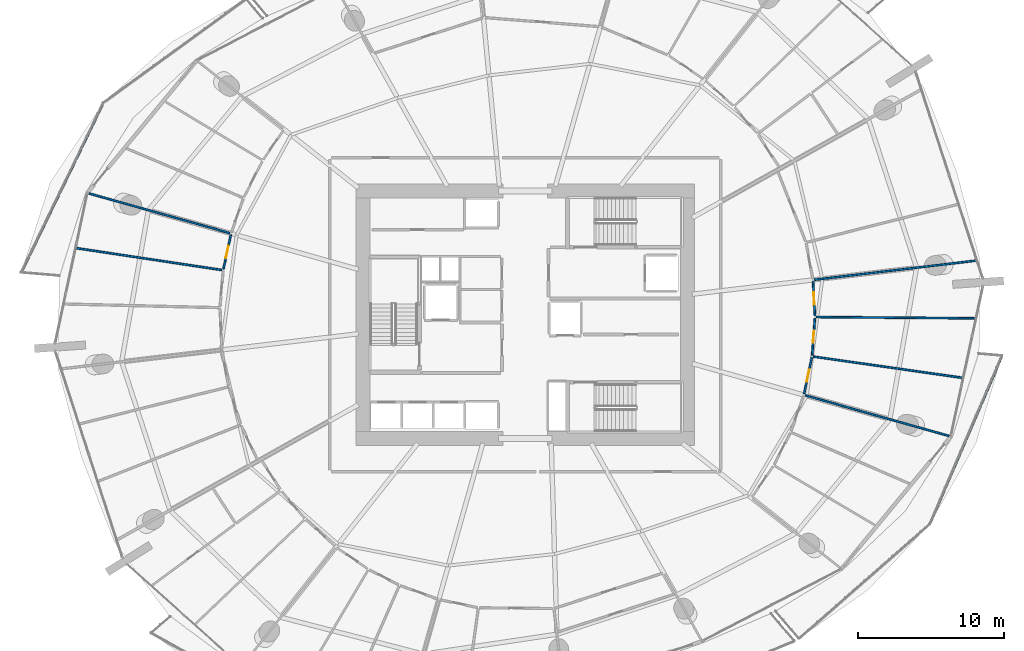
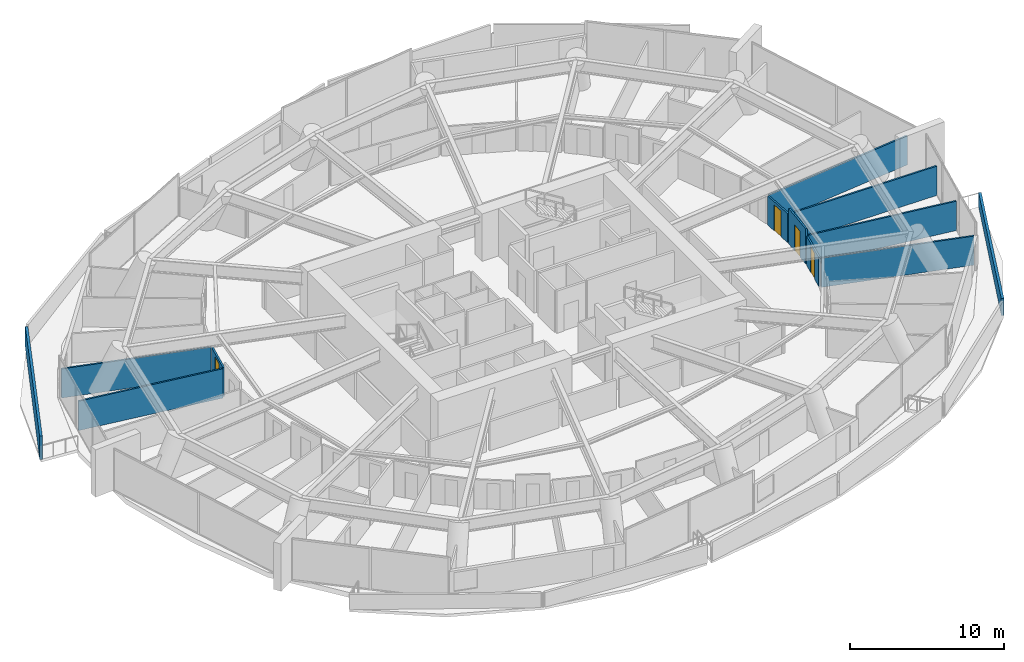
# One storey, part 21 of 31: 12 walls, 4 doors, 4 openings.
"""IFC4 building model written with IfcOpenShell, lengths in metres."""

from ifc_helpers import new_model, si_unit, direction, frame, frame_2d, origin, place, context, subcontext, project, spatial, polyline, rectangle, outline, extrude, material, layer, layer_set, type_object, element, fill, save


model = new_model("IFC4")

# Units and contexts
model_context = context("Model", 3, precision=1e-05, world=origin(), true_north=direction((0.0, 1.0)))
body_context = subcontext(model_context, "Body", "Model", "MODEL_VIEW")
ifc_project = project(units=[si_unit("LENGTHUNIT", "METRE"), si_unit("AREAUNIT", "SQUARE_METRE"), si_unit("VOLUMEUNIT", "CUBIC_METRE"), si_unit("PLANEANGLEUNIT", "RADIAN"), si_unit("MASSUNIT", "GRAM", prefix="KILO")], contexts=[model_context])

# Site, building, storey
site_placement = place(None, origin())
site = spatial("IfcSite", under=ifc_project, at=site_placement, CompositionType="ELEMENT")
building_placement = place(site_placement, origin())
building = spatial("IfcBuilding", under=site, at=building_placement, Name="Kazma Halo Residences", CompositionType="ELEMENT")
storey_placement = place(building_placement, frame((0.0, 0.0, 71.39990234375)))
storey = spatial("IfcBuildingStorey", under=building, at=storey_placement, Name="L17", CompositionType="ELEMENT", Elevation=71.39990234375)

# Walls
ifc_material_1 = material(Name="White Concrete C50/60 Balustrade", Category="concrete")
ifc_layer_1 = layer(ifc_material_1, 0.179931640625)
ifc_layer_set_1 = layer_set([ifc_layer_1], Name="White Concrete C50/60 Balustrade")
wall_type_1 = type_object("IfcWallType", Name="WL-BAL-WAVE-180", PredefinedType="PARAPET", material=ifc_layer_set_1)
wall_1_placement = place(storey_placement, frame((19.48095703125, 56.396484375, 0.0), z_axis=(0.0, 0.0, 1.0), x_axis=(-0.435391138538, -0.900241387897, 0.0)))
element("IfcWall", 1, at=wall_1_placement, inside=storey, type_object=wall_type_1, Name="L17 white wave balustrade wall NW.2", PredefinedType="PARAPET", context=body_context, shape_type="SweptSolid", body=[
    extrude(outline(polyline([(0.0, 0.0), (12.779296875, 0.0), (12.779296875, 1.860107421875), (6.3896484375, 1.798095703125), (0.0, 1.632080078125), (0.0, 0.0)])), frame((0.0, 0.08984375, 0.0), z_axis=(0.0, -1.0, 0.0), x_axis=(1.0, 0.0, 0.0)), (0.0, 0.0, 1.0), 0.179931640625),
])
wall_2_placement = place(storey_placement, frame((76.159423828125, 27.786376953125, 0.0), z_axis=(0.0, 0.0, 1.0), x_axis=(0.393762615554, 0.919212164079, 0.0)))
element("IfcWall", 2, at=wall_2_placement, inside=storey, type_object=wall_type_1, Name="L17 white wave balustrade wall SE.2", PredefinedType="PARAPET", context=body_context, shape_type="SweptSolid", body=[
    extrude(outline(polyline([(0.0, 0.0), (12.412109375, 0.0), (12.412109375, 1.1201171875), (6.2060546875, 1.18212890625), (0.0, 1.34814453125), (0.0, 0.0)])), frame((0.0, 0.08984375, 0.0), z_axis=(0.0, -1.0, 0.0), x_axis=(1.0, 0.0, 0.0)), (0.0, 0.0, 1.0), 0.179931640625),
])
ifc_material_2 = material(Name="Gypsum Plasterboard Partition")
ifc_layer_2 = layer(ifc_material_2, 0.125)
ifc_layer_set_2 = layer_set([ifc_layer_2], Name="Gypsum Plasterboard Partition")
wall_type_2 = type_object("IfcWallType", Name="WL-PART-125", PredefinedType="PARTITIONING", material=ifc_layer_set_2)
wall_3_placement = place(storey_placement, frame((28.189697265625, 47.5869140625, 0.0), z_axis=(0.0, 0.0, 1.0), x_axis=(-0.962452458747, 0.271450298675, 0.0)))
element("IfcWall", 3, at=wall_3_placement, inside=storey, type_object=wall_type_2, Name="L17 Apartment 1 radial partition 6", PredefinedType="PARTITIONING", context=body_context, shape_type="SweptSolid", body=[
    extrude(rectangle(XDim=9.991455078125, YDim=0.125, at=frame_2d((4.99560546875, 0.0))), origin(), (0.0, 0.0, 1.0), 2.30712890625),
])
wall_4_placement = place(storey_placement, frame((27.655517578125, 45.05859375, 0.0), z_axis=(0.0, 0.0, 1.0), x_axis=(-0.988887175004, 0.148667935725, 0.0)))
element("IfcWall", 4, at=wall_4_placement, inside=storey, type_object=wall_type_2, Name="L17 Apartment 1 bay wall 1 6", PredefinedType="PARTITIONING", context=body_context, shape_type="SweptSolid", body=[
    extrude(rectangle(XDim=10.097900390625, YDim=0.125, at=frame_2d((5.048828125, 0.0))), origin(), (0.0, 0.0, 1.0), 2.3251953125),
])

# Wall, opening, door
wall_5_placement = place(storey_placement, frame((28.269287109375, 47.481689453125, 0.0), z_axis=(0.0, 0.0, 1.0), x_axis=(-0.210517386484, -0.977590113487, 0.0)))
wall_5 = element("IfcWall", 5, at=wall_5_placement, inside=storey, type_object=wall_type_2, Name="L17 Apartment 1 North Bedroom hall wall", PredefinedType="PARTITIONING", context=body_context, shape_type="SweptSolid", body=[
    extrude(rectangle(XDim=2.412109375, YDim=0.125, at=frame_2d((1.2060546875, 0.0))), origin(), (0.0, 0.0, 1.0), 2.30712890625),
])
opening_1_placement = place(wall_5_placement, frame((0.781005859375, 0.0, 0.0)))
opening_1 = element("IfcOpeningElement", 6, at=opening_1_placement, cuts=wall_5, Name="Opening DB-900", PredefinedType="OPENING", context=body_context, shape_type="SweptSolid", body=[
    extrude(rectangle(XDim=0.85009765625, YDim=2.06005859375, at=frame_2d((0.425048828125, 1.030029296875))), frame((0.0, 0.072509765625, 0.0), z_axis=(0.0, -1.0, 0.0), x_axis=(1.0, 0.0, 0.0)), (0.0, 0.0, 1.0), 0.14501953125),
])
ifc_material_3 = material(Name="Moisture-Sealed Timber Leaf", Category="wood")
door_type = type_object("IfcDoorType", Name="DR-BTH-900", OperationType="NOTDEFINED", PredefinedType="DOOR", material=ifc_material_3)
door_1_placement = place(opening_1_placement, origin())
door_1 = element("IfcDoor", 7, at=door_1_placement, inside=storey, type_object=door_type, Name="L17 Apartment 1 North Bedroom door", OperationType="SINGLE_SWING_LEFT", OverallHeight=2.06005859375, OverallWidth=0.85009765625, PredefinedType="DOOR", context=body_context, shape_type="SweptSolid", body=[
    extrude(rectangle(XDim=0.85009765625, YDim=2.06005859375, at=frame_2d((0.425048828125, 1.030029296875))), frame((0.0, 0.02490234375, 0.0), z_axis=(0.0, -1.0, 0.0), x_axis=(1.0, 0.0, 0.0)), (0.0, 0.0, 1.0), 0.050048828125),
])
fill(opening_1, door_1)

# Walls
wall_6_placement = place(storey_placement, frame((67.5888671875, 36.475341796875, 0.0), z_axis=(0.0, 0.0, 1.0), x_axis=(0.962457516126, -0.271432366627, 0.0)))
element("IfcWall", 8, at=wall_6_placement, inside=storey, type_object=wall_type_2, Name="L17 Apartment 2 radial partition 14", PredefinedType="PARTITIONING", context=body_context, shape_type="SweptSolid", body=[
    extrude(rectangle(XDim=10.221435546875, YDim=0.125, at=frame_2d((5.11083984375, 0.0))), origin(), (0.0, 0.0, 1.0), 2.30712890625),
])
wall_7_placement = place(storey_placement, frame((68.139892578125, 39.133544921875, 0.0), z_axis=(0.0, 0.0, 1.0), x_axis=(0.990026759408, -0.140879436596, 0.0)))
element("IfcWall", 9, at=wall_7_placement, inside=storey, type_object=wall_type_2, Name="L17 Apartment 2 bay wall 1 14", PredefinedType="PARTITIONING", context=body_context, shape_type="SweptSolid", body=[
    extrude(rectangle(XDim=10.34423828125, YDim=0.125, at=frame_2d((5.172119140625, 0.0))), origin(), (0.0, 0.0, 1.0), 2.3251953125),
])
wall_8_placement = place(storey_placement, frame((68.34228515625, 41.840087890625, 0.0), z_axis=(0.0, 0.0, 1.0), x_axis=(0.999969173113, -0.007851931271, 0.0)))
element("IfcWall", 10, at=wall_8_placement, inside=storey, type_object=wall_type_2, Name="L17 Apartment 2 bay wall 2 14", PredefinedType="PARTITIONING", context=body_context, shape_type="SweptSolid", body=[
    extrude(rectangle(XDim=10.91357421875, YDim=0.125, at=frame_2d((5.456787109375, 0.0))), origin(), (0.0, 0.0, 1.0), 2.3251953125),
])

# Wall, opening, door
wall_9_placement = place(storey_placement, frame((67.509033203125, 36.580810546875, 0.0), z_axis=(0.0, 0.0, 1.0), x_axis=(0.206668673341, 0.978410986988, 0.0)))
wall_9 = element("IfcWall", 11, at=wall_9_placement, inside=storey, type_object=wall_type_2, Name="L17 Apartment 2 Inner Bedroom hall wall", PredefinedType="PARTITIONING", context=body_context, shape_type="SweptSolid", body=[
    extrude(rectangle(XDim=2.542236328125, YDim=0.125, at=frame_2d((1.27099609375, 0.0))), origin(), (0.0, 0.0, 1.0), 2.30712890625),
])
opening_2_placement = place(wall_9_placement, frame((0.845947265625, 0.0, 0.0)))
opening_2 = element("IfcOpeningElement", 12, at=opening_2_placement, cuts=wall_9, Name="Opening DB-900", PredefinedType="OPENING", context=body_context, shape_type="SweptSolid", body=[
    extrude(rectangle(XDim=0.85009765625, YDim=2.06005859375, at=frame_2d((0.425048828125, 1.030029296875))), frame((0.0, 0.072509765625, 0.0), z_axis=(0.0, -1.0, 0.0), x_axis=(1.0, 0.0, 0.0)), (0.0, 0.0, 1.0), 0.14501953125),
])
door_2_placement = place(opening_2_placement, origin())
door_2 = element("IfcDoor", 13, at=door_2_placement, inside=storey, type_object=door_type, Name="L17 Apartment 2 Inner Bedroom door", OperationType="SINGLE_SWING_LEFT", OverallHeight=2.06005859375, OverallWidth=0.85009765625, PredefinedType="DOOR", context=body_context, shape_type="SweptSolid", body=[
    extrude(rectangle(XDim=0.85009765625, YDim=2.06005859375, at=frame_2d((0.425048828125, 1.030029296875))), frame((0.0, 0.02490234375, 0.0), z_axis=(0.0, -1.0, 0.0), x_axis=(1.0, 0.0, 0.0)), (0.0, 0.0, 1.0), 0.050048828125),
])
fill(opening_2, door_2)

wall_10_placement = place(storey_placement, frame((68.056884765625, 39.22607421875, 0.0), z_axis=(0.0, 0.0, 1.0), x_axis=(0.074529691315, 0.997218795006, 0.0)))
wall_10 = element("IfcWall", 14, at=wall_10_placement, inside=storey, type_object=wall_type_2, Name="L17 Apartment 2 Outer Dressing Wardrobe hall wall", PredefinedType="PARTITIONING", context=body_context, shape_type="SweptSolid", body=[
    extrude(rectangle(XDim=2.5419921875, YDim=0.125, at=frame_2d((1.27099609375, 0.0))), origin(), (0.0, 0.0, 1.0), 2.7900390625),
])
opening_3_placement = place(wall_10_placement, frame((0.845947265625, 0.0, 0.0)))
opening_3 = element("IfcOpeningElement", 15, at=opening_3_placement, cuts=wall_10, Name="Opening DB-900", PredefinedType="OPENING", context=body_context, shape_type="SweptSolid", body=[
    extrude(rectangle(XDim=0.85009765625, YDim=2.06005859375, at=frame_2d((0.425048828125, 1.030029296875))), frame((0.0, 0.072509765625, 0.0), z_axis=(0.0, -1.0, 0.0), x_axis=(1.0, 0.0, 0.0)), (0.0, 0.0, 1.0), 0.14501953125),
])
door_3_placement = place(opening_3_placement, origin())
door_3 = element("IfcDoor", 16, at=door_3_placement, inside=storey, type_object=door_type, Name="L17 Apartment 2 Outer Dressing Wardrobe door", OperationType="SINGLE_SWING_RIGHT", OverallHeight=2.06005859375, OverallWidth=0.85009765625, PredefinedType="DOOR", context=body_context, shape_type="SweptSolid", body=[
    extrude(rectangle(XDim=0.85009765625, YDim=2.06005859375, at=frame_2d((0.425048828125, 1.030029296875))), frame((0.0, 0.02490234375, 0.0), z_axis=(0.0, -1.0, 0.0), x_axis=(1.0, 0.0, 0.0)), (0.0, 0.0, 1.0), 0.050048828125),
])
fill(opening_3, door_3)

wall_11_placement = place(storey_placement, frame((68.248046875, 41.9208984375, 0.0), z_axis=(0.0, 0.0, 1.0), x_axis=(-0.055010450721, 0.998485778723, 0.0)))
wall_11 = element("IfcWall", 17, at=wall_11_placement, inside=storey, type_object=wall_type_2, Name="L17 Apartment 2 Corner Bedroom hall wall", PredefinedType="PARTITIONING", context=body_context, shape_type="SweptSolid", body=[
    extrude(rectangle(XDim=2.38330078125, YDim=0.125, at=frame_2d((1.191650390625, 0.0))), origin(), (0.0, 0.0, 1.0), 2.30712890625),
])
opening_4_placement = place(wall_11_placement, frame((0.7666015625, 0.0, 0.0)))
opening_4 = element("IfcOpeningElement", 18, at=opening_4_placement, cuts=wall_11, Name="Opening DB-900", PredefinedType="OPENING", context=body_context, shape_type="SweptSolid", body=[
    extrude(rectangle(XDim=0.85009765625, YDim=2.06005859375, at=frame_2d((0.425048828125, 1.030029296875))), frame((0.0, 0.072509765625, 0.0), z_axis=(0.0, -1.0, 0.0), x_axis=(1.0, 0.0, 0.0)), (0.0, 0.0, 1.0), 0.14501953125),
])
door_4_placement = place(opening_4_placement, origin())
door_4 = element("IfcDoor", 19, at=door_4_placement, inside=storey, type_object=door_type, Name="L17 Apartment 2 Corner Bedroom door", OperationType="SINGLE_SWING_LEFT", OverallHeight=2.06005859375, OverallWidth=0.85009765625, PredefinedType="DOOR", context=body_context, shape_type="SweptSolid", body=[
    extrude(rectangle(XDim=0.85009765625, YDim=2.06005859375, at=frame_2d((0.425048828125, 1.030029296875))), frame((0.0, 0.02490234375, 0.0), z_axis=(0.0, -1.0, 0.0), x_axis=(1.0, 0.0, 0.0)), (0.0, 0.0, 1.0), 0.050048828125),
])
fill(opening_4, door_4)

# Wall
wall_12_placement = place(storey_placement, frame((68.2119140625, 44.392333984375, 0.0), z_axis=(0.0, 0.0, 1.0), x_axis=(0.993068868454, 0.117533920671, 0.0)))
element("IfcWall", 20, at=wall_12_placement, inside=storey, type_object=wall_type_2, Name="L17 Apartment 2 radial partition 15", PredefinedType="PARTITIONING", context=body_context, shape_type="SweptSolid", body=[
    extrude(rectangle(XDim=11.185791015625, YDim=0.125, at=frame_2d((5.5927734375, 0.0))), origin(), (0.0, 0.0, 1.0), 2.30712890625),
])

save(model, "model.ifc")
